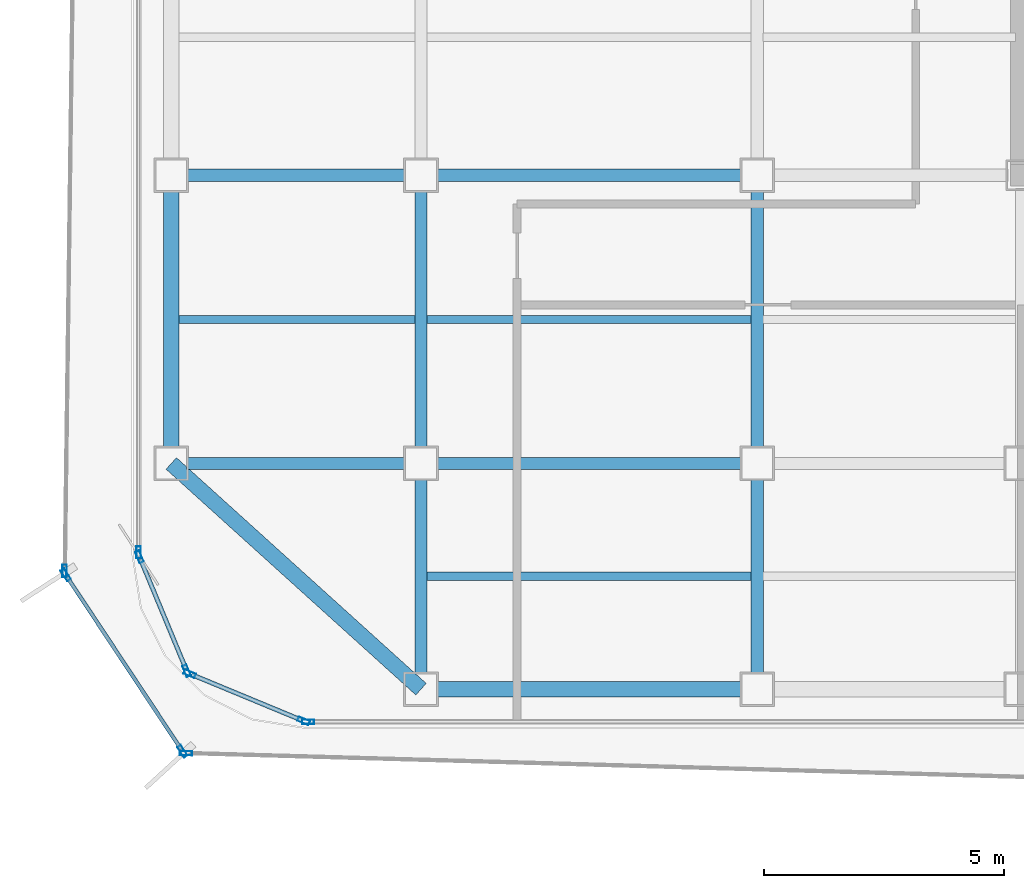
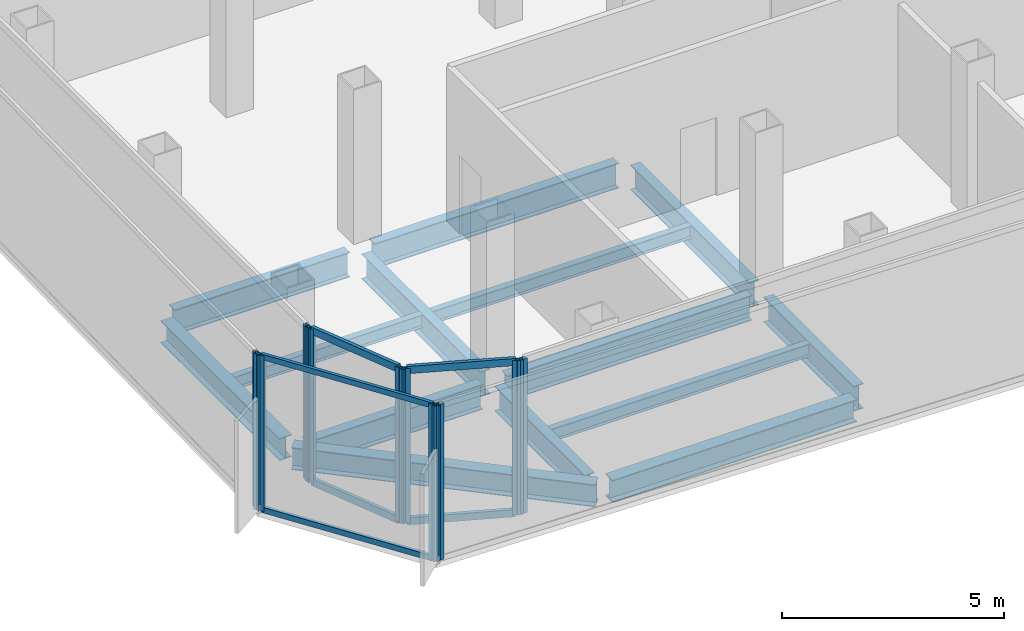
# One storey, part 2 of 14: 16 members, 14 beams, 7 elements without a shape of their own.
"""IFC4 building model written with IfcOpenShell, lengths in metres."""

from ifc_helpers import new_model, si_unit, direction, frame, origin, origin_2d, place, context, subcontext, project, spatial, hollow_rectangle, i_section, extrude, source, transform, mapped, material, layer, layer_set, material_profile, profile_set, type_object, element, aggregate, save


model = new_model("IFC4")

# Units and contexts
model_context = context("Model", 3, precision=1e-05, world=origin(), true_north=direction((0.0, 1.0)))
body_context = subcontext(model_context, "Body", "Model", "MODEL_VIEW")
ifc_project = project(units=[si_unit("LENGTHUNIT", "METRE"), si_unit("AREAUNIT", "SQUARE_METRE"), si_unit("VOLUMEUNIT", "CUBIC_METRE"), si_unit("PLANEANGLEUNIT", "RADIAN"), si_unit("MASSUNIT", "GRAM", prefix="KILO")], contexts=[model_context])

# Site, building, storey
site_placement = place(None, origin())
site = spatial("IfcSite", under=ifc_project, at=site_placement, CompositionType="ELEMENT")
building_placement = place(site_placement, origin())
building = spatial("IfcBuilding", under=site, at=building_placement, Name="Kolveth Station Tower", CompositionType="ELEMENT")
storey_placement = place(building_placement, frame((0.0, 0.0, 151.60009765625)))
storey = spatial("IfcBuildingStorey", under=building, at=storey_placement, Name="L42", CompositionType="ELEMENT", Elevation=151.60009765625)

# Beams
ifc_material_1 = material(Name="Steel S355", Category="steel")
ifc_material_profile_1 = material_profile(ifc_material_1, i_section(OverallWidth=0.323974609375, OverallDepth=0.611083984375, WebThickness=0.0126953125, FlangeThickness=0.01904296875, at=origin_2d()), Name="W610x155")
ifc_profile_set_1 = profile_set([ifc_material_profile_1], Name="Steel S355")
beam_type_1 = type_object("IfcBeamType", Name="Beam_SP2", PredefinedType="SPANDREL", material=ifc_profile_set_1)
shared_shape_1 = source(origin(), body_context, "Body", "SweptSolid", [
    extrude(i_section(OverallWidth=0.323974609375, OverallDepth=0.611083984375, WebThickness=0.0126953125, FlangeThickness=0.01904296875, at=origin_2d()), origin(), (0.0, 0.0, 1.0), 6.35986328125),
])
beam_1_placement = place(storey_placement, frame((6.320068359375, 0.800048828125, -0.66552734375), z_axis=(1.0, 0.0, 0.0), x_axis=(0.0, 1.0, 0.0)))
element("IfcBeam", 1, at=beam_1_placement, inside=storey, type_object=beam_type_1, Name="L42 Perimeter Spandrel BM-L42-PS-1", PredefinedType="SPANDREL", context=body_context, shape_type="MappedRepresentation", body=[
    mapped(shared_shape_1, transform((0.0, 0.0, 0.0), x_axis=(1.0, 0.0, 0.0), y_axis=(0.0, 1.0, 0.0), z_axis=(0.0, 0.0, 1.0), scale=1.0)),
])
shared_shape_2 = source(origin(), body_context, "Body", "SweptSolid", [
    extrude(i_section(OverallWidth=0.323974609375, OverallDepth=0.611083984375, WebThickness=0.0126953125, FlangeThickness=0.01904296875, at=origin_2d()), origin(), (0.0, 0.0, 1.0), 5.35986328125),
])
beam_2_placement = place(storey_placement, frame((0.800048828125, 5.820068359375, -0.66552734375), z_axis=(0.0, 1.0, 0.0), x_axis=(-1.0, 0.0, 0.0)))
element("IfcBeam", 2, at=beam_2_placement, inside=storey, type_object=beam_type_1, Name="L42 Perimeter Spandrel BM-L42-PW-1", PredefinedType="SPANDREL", context=body_context, shape_type="MappedRepresentation", body=[
    mapped(shared_shape_2, transform((0.0, 0.0, 0.0), x_axis=(1.0, 0.0, 0.0), y_axis=(0.0, 1.0, 0.0), z_axis=(0.0, 0.0, 1.0), scale=1.0)),
])
shared_shape_3 = source(origin(), body_context, "Body", "SweptSolid", [
    extrude(i_section(OverallWidth=0.323974609375, OverallDepth=0.611083984375, WebThickness=0.0126953125, FlangeThickness=0.01904296875, at=origin_2d()), origin(), (0.0, 0.0, 1.0), 7.00927734375),
])
beam_3_placement = place(storey_placement, frame((0.800048828125, 5.5, -0.66552734375), z_axis=(0.741874009795, -0.670539300557, 0.0), x_axis=(0.670539300557, 0.741874009795, 0.0)))
element("IfcBeam", 3, at=beam_3_placement, inside=storey, type_object=beam_type_1, Name="L42 Corner Edge Girder BM-L42-CNR-SW", PredefinedType="SPANDREL", context=body_context, shape_type="MappedRepresentation", body=[
    mapped(shared_shape_3, transform((0.0, 0.0, 0.0), x_axis=(1.0, 0.0, 0.0), y_axis=(0.0, 1.0, 0.0), z_axis=(0.0, 0.0, 1.0), scale=1.0)),
])
ifc_material_profile_2 = material_profile(ifc_material_1, i_section(OverallWidth=0.25390625, OverallDepth=0.68798828125, WebThickness=0.01318359375, FlangeThickness=0.02099609375, at=origin_2d()), Name="W690x152")
ifc_profile_set_2 = profile_set([ifc_material_profile_2], Name="Steel S355")
beam_type_2 = type_object("IfcBeamType", Name="Beam_B4", PredefinedType="BEAM", material=ifc_profile_set_2)
shared_shape_4 = source(origin(), body_context, "Body", "SweptSolid", [
    extrude(i_section(OverallWidth=0.25390625, OverallDepth=0.68798828125, WebThickness=0.01318359375, FlangeThickness=0.02099609375, at=origin_2d()), origin(), (0.0, 0.0, 1.0), 4.559814453125),
])
for number, where, z_axis, x_axis, name in (
    (4, (1.1201171875, 5.5, -0.7041015625), (1.0, 0.0, 0.0), (0.0, 1.0, 0.0), "L42 Primary Girder BM-L42-GY55-1"),
    (5, (1.1201171875, 11.5, -0.7041015625), (1.0, 0.0, 0.0), (0.0, 1.0, 0.0), "L42 Primary Girder BM-L42-GY115-1"),
):
    element("IfcBeam", number, at=place(storey_placement, frame(where, z_axis=z_axis, x_axis=x_axis)), inside=storey, type_object=beam_type_2, Name=name, PredefinedType="BEAM", context=body_context, shape_type="MappedRepresentation", body=[
        mapped(shared_shape_4, transform((0.0, 0.0, 0.0), x_axis=(1.0, 0.0, 0.0), y_axis=(0.0, 1.0, 0.0), z_axis=(0.0, 0.0, 1.0), scale=1.0)),
    ])
shared_shape_5 = source(origin(), body_context, "Body", "SweptSolid", [
    extrude(i_section(OverallWidth=0.25390625, OverallDepth=0.68798828125, WebThickness=0.01318359375, FlangeThickness=0.02099609375, at=origin_2d()), origin(), (0.0, 0.0, 1.0), 6.35986328125),
])
for number, where, z_axis, x_axis, name in (
    (6, (6.320068359375, 5.5, -0.7041015625), (1.0, 0.0, 0.0), (0.0, 1.0, 0.0), "L42 Primary Girder BM-L42-GY55-2"),
    (7, (6.320068359375, 11.5, -0.7041015625), (1.0, 0.0, 0.0), (0.0, 1.0, 0.0), "L42 Primary Girder BM-L42-GY115-2"),
):
    element("IfcBeam", number, at=place(storey_placement, frame(where, z_axis=z_axis, x_axis=x_axis)), inside=storey, type_object=beam_type_2, Name=name, PredefinedType="BEAM", context=body_context, shape_type="MappedRepresentation", body=[
        mapped(shared_shape_5, transform((0.0, 0.0, 0.0), x_axis=(1.0, 0.0, 0.0), y_axis=(0.0, 1.0, 0.0), z_axis=(0.0, 0.0, 1.0), scale=1.0)),
    ])
shared_shape_6 = source(origin(), body_context, "Body", "SweptSolid", [
    extrude(i_section(OverallWidth=0.25390625, OverallDepth=0.68798828125, WebThickness=0.01318359375, FlangeThickness=0.02099609375, at=origin_2d()), origin(), (0.0, 0.0, 1.0), 4.059814453125),
])
for number, where, z_axis, x_axis, name in (
    (8, (6.0, 1.1201171875, -0.7041015625), (0.0, 1.0, 0.0), (-1.0, 0.0, 0.0), "L42 Primary Girder BM-L42-GX60-1"),
    (9, (13.0, 1.1201171875, -0.7041015625), (0.0, 1.0, 0.0), (-1.0, 0.0, 0.0), "L42 Primary Girder BM-L42-GX130-1"),
):
    element("IfcBeam", number, at=place(storey_placement, frame(where, z_axis=z_axis, x_axis=x_axis)), inside=storey, type_object=beam_type_2, Name=name, PredefinedType="BEAM", context=body_context, shape_type="MappedRepresentation", body=[
        mapped(shared_shape_6, transform((0.0, 0.0, 0.0), x_axis=(1.0, 0.0, 0.0), y_axis=(0.0, 1.0, 0.0), z_axis=(0.0, 0.0, 1.0), scale=1.0)),
    ])
shared_shape_7 = source(origin(), body_context, "Body", "SweptSolid", [
    extrude(i_section(OverallWidth=0.25390625, OverallDepth=0.68798828125, WebThickness=0.01318359375, FlangeThickness=0.02099609375, at=origin_2d()), origin(), (0.0, 0.0, 1.0), 5.35986328125),
])
for number, where, z_axis, x_axis, name in (
    (10, (6.0, 5.820068359375, -0.7041015625), (0.0, 1.0, 0.0), (-1.0, 0.0, 0.0), "L42 Primary Girder BM-L42-GX60-2"),
    (11, (13.0, 5.820068359375, -0.7041015625), (0.0, 1.0, 0.0), (-1.0, 0.0, 0.0), "L42 Primary Girder BM-L42-GX130-2"),
):
    element("IfcBeam", number, at=place(storey_placement, frame(where, z_axis=z_axis, x_axis=x_axis)), inside=storey, type_object=beam_type_2, Name=name, PredefinedType="BEAM", context=body_context, shape_type="MappedRepresentation", body=[
        mapped(shared_shape_7, transform((0.0, 0.0, 0.0), x_axis=(1.0, 0.0, 0.0), y_axis=(0.0, 1.0, 0.0), z_axis=(0.0, 0.0, 1.0), scale=1.0)),
    ])
ifc_material_profile_3 = material_profile(ifc_material_1, i_section(OverallWidth=0.1708984375, OverallDepth=0.35205078125, WebThickness=0.0068359375, FlangeThickness=0.009765625, at=origin_2d()), Name="W360x44")
ifc_profile_set_3 = profile_set([ifc_material_profile_3], Name="Steel S355")
beam_type_3 = type_object("IfcBeamType", Name="Beam_J2", PredefinedType="JOIST", material=ifc_profile_set_3)
shared_shape_8 = source(origin(), body_context, "Body", "SweptSolid", [
    extrude(i_section(OverallWidth=0.1708984375, OverallDepth=0.35205078125, WebThickness=0.0068359375, FlangeThickness=0.009765625, at=origin_2d()), origin(), (0.0, 0.0, 1.0), 4.9150390625),
])
beam_4_placement = place(storey_placement, frame((0.9599609375, 8.5, -0.5361328125), z_axis=(1.0, 0.0, 0.0), x_axis=(0.0, 1.0, 0.0)))
element("IfcBeam", 12, at=beam_4_placement, inside=storey, type_object=beam_type_3, Name="L42 Secondary Joist JST-L42-1-2", PredefinedType="JOIST", context=body_context, shape_type="MappedRepresentation", body=[
    mapped(shared_shape_8, transform((0.0, 0.0, 0.0), x_axis=(1.0, 0.0, 0.0), y_axis=(0.0, 1.0, 0.0), z_axis=(0.0, 0.0, 1.0), scale=1.0)),
])
shared_shape_9 = source(origin(), body_context, "Body", "SweptSolid", [
    extrude(i_section(OverallWidth=0.1708984375, OverallDepth=0.35205078125, WebThickness=0.0068359375, FlangeThickness=0.009765625, at=origin_2d()), origin(), (0.0, 0.0, 1.0), 6.75),
])
for number, where, z_axis, x_axis, name in (
    (13, (6.125, 3.14990234375, -0.5361328125), (1.0, 0.0, 0.0), (0.0, 1.0, 0.0), "L42 Secondary Joist JST-L42-2-1"),
    (14, (6.125, 8.5, -0.5361328125), (1.0, 0.0, 0.0), (0.0, 1.0, 0.0), "L42 Secondary Joist JST-L42-2-2"),
):
    element("IfcBeam", number, at=place(storey_placement, frame(where, z_axis=z_axis, x_axis=x_axis)), inside=storey, type_object=beam_type_3, Name=name, PredefinedType="JOIST", context=body_context, shape_type="MappedRepresentation", body=[
        mapped(shared_shape_9, transform((0.0, 0.0, 0.0), x_axis=(1.0, 0.0, 0.0), y_axis=(0.0, 1.0, 0.0), z_axis=(0.0, 0.0, 1.0), scale=1.0)),
    ])

# Curtain wall, member
ifc_material_2 = material(Name="Aluminium 6063-T6 and acoustic laminated dark glass", Category="aluminium")
ifc_layer_1 = layer(ifc_material_2, 0.219970703125)
ifc_layer_set_1 = layer_set([ifc_layer_1], Name="Aluminium 6063-T6 and acoustic laminated dark glass")
curtain_wall_type_1 = type_object("IfcCurtainWallType", Name="CurtainWall_CW-SL", PredefinedType="NOTDEFINED", material=ifc_layer_set_1)
curtain_wall_1_placement = place(storey_placement, origin())
curtain_wall_1 = element("IfcCurtainWall", 15, at=curtain_wall_1_placement, inside=storey, type_object=curtain_wall_type_1, Name="L42 Inner Thermal Curtain Wall 9", PredefinedType="NOTDEFINED")
ifc_material_3 = material(Name="Black anodized aluminium 6063-T6", Category="aluminium")
ifc_material_profile_4 = material_profile(ifc_material_3, hollow_rectangle(XDim=0.094970703125, YDim=0.25, WallThickness=0.0048828125, at=origin_2d()), Name="ALU-95x250x5")
ifc_profile_set_4 = profile_set([ifc_material_profile_4], Name="Black anodized aluminium 6063-T6")
member_type_1 = type_object("IfcMemberType", Name="Mullion_ML-SL", PredefinedType="MULLION", material=ifc_profile_set_4)
shared_shape_10 = source(origin(), body_context, "Body", "SweptSolid", [
    extrude(hollow_rectangle(XDim=0.094970703125, YDim=0.25, WallThickness=0.0048828125, at=origin_2d()), origin(), (0.0, 0.0, 1.0), 4.25),
])
member_1_placement = place(storey_placement, frame((0.1201171875, 3.6474609375, 0.0), z_axis=(0.0, 0.0, 1.0), x_axis=(1.0, 0.0, 0.0)))
member_1 = element("IfcMember", 16, at=member_1_placement, type_object=member_type_1, Name="CW-SL mullion 2", PredefinedType="MULLION", context=body_context, shape_type="MappedRepresentation", body=[
    mapped(shared_shape_10, transform((0.0, 0.0, 0.0), x_axis=(1.0, 0.0, 0.0), y_axis=(0.0, 1.0, 0.0), z_axis=(0.0, 0.0, 1.0), scale=1.0)),
])
aggregate(curtain_wall_1, [member_1])

# Curtain wall, members
curtain_wall_2_placement = place(storey_placement, origin())
curtain_wall_2 = element("IfcCurtainWall", 17, at=curtain_wall_2_placement, inside=storey, type_object=curtain_wall_type_1, Name="L42 Inner Thermal Curtain Wall 10", PredefinedType="NOTDEFINED")
member_2_placement = place(storey_placement, frame((0.13818359375, 3.55615234375, 0.0), z_axis=(0.0, 0.0, 1.0), x_axis=(0.923873600544, 0.382697753087, 0.0)))
member_2 = element("IfcMember", 18, at=member_2_placement, type_object=member_type_1, Name="CW-SL mullion 1", PredefinedType="MULLION", context=body_context, shape_type="MappedRepresentation", body=[
    mapped(shared_shape_10, transform((0.0, 0.0, 0.0), x_axis=(1.0, 0.0, 0.0), y_axis=(0.0, 1.0, 0.0), z_axis=(0.0, 0.0, 1.0), scale=1.0)),
])
member_3_placement = place(storey_placement, frame((1.12109375, 1.18310546875, 0.0), z_axis=(0.0, 0.0, 1.0), x_axis=(0.923873600544, 0.382697753087, 0.0)))
member_3 = element("IfcMember", 19, at=member_3_placement, type_object=member_type_1, Name="CW-SL mullion 2", PredefinedType="MULLION", context=body_context, shape_type="MappedRepresentation", body=[
    mapped(shared_shape_10, transform((0.0, 0.0, 0.0), x_axis=(1.0, 0.0, 0.0), y_axis=(0.0, 1.0, 0.0), z_axis=(0.0, 0.0, 1.0), scale=1.0)),
])

curtain_wall_3_placement = place(storey_placement, origin())
curtain_wall_3 = element("IfcCurtainWall", 20, at=curtain_wall_3_placement, inside=storey, type_object=curtain_wall_type_1, Name="L42 Inner Thermal Curtain Wall 11", PredefinedType="NOTDEFINED")
member_4_placement = place(storey_placement, frame((1.18310546875, 1.12109375, 0.0), z_axis=(0.0, 0.0, 1.0), x_axis=(0.382697753087, 0.923873600544, 0.0)))
member_4 = element("IfcMember", 21, at=member_4_placement, type_object=member_type_1, Name="CW-SL mullion 1", PredefinedType="MULLION", context=body_context, shape_type="MappedRepresentation", body=[
    mapped(shared_shape_10, transform((0.0, 0.0, 0.0), x_axis=(1.0, 0.0, 0.0), y_axis=(0.0, 1.0, 0.0), z_axis=(0.0, 0.0, 1.0), scale=1.0)),
])
member_5_placement = place(storey_placement, frame((3.55615234375, 0.13818359375, 0.0), z_axis=(0.0, 0.0, 1.0), x_axis=(0.382697753087, 0.923873600544, 0.0)))
member_5 = element("IfcMember", 22, at=member_5_placement, type_object=member_type_1, Name="CW-SL mullion 2", PredefinedType="MULLION", context=body_context, shape_type="MappedRepresentation", body=[
    mapped(shared_shape_10, transform((0.0, 0.0, 0.0), x_axis=(1.0, 0.0, 0.0), y_axis=(0.0, 1.0, 0.0), z_axis=(0.0, 0.0, 1.0), scale=1.0)),
])

# Curtain wall, member
curtain_wall_4_placement = place(storey_placement, origin())
curtain_wall_4 = element("IfcCurtainWall", 23, at=curtain_wall_4_placement, inside=storey, type_object=curtain_wall_type_1, Name="L42 Inner Thermal Curtain Wall 12", PredefinedType="NOTDEFINED")
member_6_placement = place(storey_placement, frame((3.6474609375, 0.1201171875, 0.0), z_axis=(0.0, 0.0, 1.0), x_axis=(0.0, 1.0, 0.0)))
member_6 = element("IfcMember", 24, at=member_6_placement, type_object=member_type_1, Name="CW-SL mullion 1", PredefinedType="MULLION", context=body_context, shape_type="MappedRepresentation", body=[
    mapped(shared_shape_10, transform((0.0, 0.0, 0.0), x_axis=(1.0, 0.0, 0.0), y_axis=(0.0, 1.0, 0.0), z_axis=(0.0, 0.0, 1.0), scale=1.0)),
])
aggregate(curtain_wall_4, [member_6])

# Member
ifc_material_profile_5 = material_profile(ifc_material_3, hollow_rectangle(XDim=0.090087890625, YDim=0.199951171875, WallThickness=0.0048828125, at=origin_2d()), Name="ALU-90x200x5")
ifc_profile_set_5 = profile_set([ifc_material_profile_5], Name="Black anodized aluminium 6063-T6")
member_type_2 = type_object("IfcMemberType", Name="Transom_TR-SL", PredefinedType="USERDEFINED", material=ifc_profile_set_5)
shared_shape_11 = source(origin(), body_context, "Body", "SweptSolid", [
    extrude(hollow_rectangle(XDim=0.090087890625, YDim=0.199951171875, WallThickness=0.0048828125, at=origin_2d()), origin(), (0.0, 0.0, 1.0), 2.4736328125),
])
member_7_placement = place(storey_placement, frame((0.15625, 3.51220703125, 0.044921875), z_axis=(0.382764396992, -0.923845991708, 0.0), x_axis=(0.923845991708, 0.382764396992, 0.0)))
member_7 = element("IfcMember", 25, at=member_7_placement, type_object=member_type_2, Name="CW-SL transom 1.1", ObjectType="TRANSOM", PredefinedType="USERDEFINED", context=body_context, shape_type="MappedRepresentation", body=[
    mapped(shared_shape_11, transform((0.0, 0.0, 0.0), x_axis=(1.0, 0.0, 0.0), y_axis=(0.0, 1.0, 0.0), z_axis=(0.0, 0.0, 1.0), scale=1.0)),
])

member_8_placement = place(storey_placement, frame((0.15625, 3.51220703125, 4.204833984375), z_axis=(0.382764396992, -0.923845991708, 0.0), x_axis=(0.923845991708, 0.382764396992, 0.0)))
member_8 = element("IfcMember", 26, at=member_8_placement, type_object=member_type_2, Name="CW-SL transom 1.2", ObjectType="TRANSOM", PredefinedType="USERDEFINED", context=body_context, shape_type="MappedRepresentation", body=[
    mapped(shared_shape_11, transform((0.0, 0.0, 0.0), x_axis=(1.0, 0.0, 0.0), y_axis=(0.0, 1.0, 0.0), z_axis=(0.0, 0.0, 1.0), scale=1.0)),
])

aggregate(curtain_wall_2, [member_2, member_3, member_7, member_8])

member_9_placement = place(storey_placement, frame((1.22705078125, 1.10302734375, 0.044921875), z_axis=(0.923845991708, -0.382764396992, 0.0), x_axis=(0.382764396992, 0.923845991708, 0.0)))
member_9 = element("IfcMember", 27, at=member_9_placement, type_object=member_type_2, Name="CW-SL transom 1.1", ObjectType="TRANSOM", PredefinedType="USERDEFINED", context=body_context, shape_type="MappedRepresentation", body=[
    mapped(shared_shape_11, transform((0.0, 0.0, 0.0), x_axis=(1.0, 0.0, 0.0), y_axis=(0.0, 1.0, 0.0), z_axis=(0.0, 0.0, 1.0), scale=1.0)),
])

member_10_placement = place(storey_placement, frame((1.22705078125, 1.10302734375, 4.204833984375), z_axis=(0.923845991708, -0.382764396992, 0.0), x_axis=(0.382764396992, 0.923845991708, 0.0)))
member_10 = element("IfcMember", 28, at=member_10_placement, type_object=member_type_2, Name="CW-SL transom 1.2", ObjectType="TRANSOM", PredefinedType="USERDEFINED", context=body_context, shape_type="MappedRepresentation", body=[
    mapped(shared_shape_11, transform((0.0, 0.0, 0.0), x_axis=(1.0, 0.0, 0.0), y_axis=(0.0, 1.0, 0.0), z_axis=(0.0, 0.0, 1.0), scale=1.0)),
])

aggregate(curtain_wall_3, [member_4, member_5, member_9, member_10])

# Curtain wall, member
ifc_material_4 = material(Name="Black anodized aluminium 6063-T6 and dark solar glass", Category="aluminium")
ifc_layer_2 = layer(ifc_material_4, 0.159912109375)
ifc_layer_set_2 = layer_set([ifc_layer_2], Name="Black anodized aluminium 6063-T6 and dark solar glass")
curtain_wall_type_2 = type_object("IfcCurtainWallType", Name="OUTER SKIN CW-OS", PredefinedType="NOTDEFINED", material=ifc_layer_set_2)
curtain_wall_5_placement = place(storey_placement, origin())
curtain_wall_5 = element("IfcCurtainWall", 29, at=curtain_wall_5_placement, inside=storey, type_object=curtain_wall_type_2, Name="L42 Outer Ventilated Skin Curtain Wall 6", PredefinedType="NOTDEFINED")
ifc_material_profile_6 = material_profile(ifc_material_3, hollow_rectangle(XDim=0.090087890625, YDim=0.260009765625, WallThickness=0.0048828125, at=origin_2d()), Name="ALU-90x260x5")
ifc_profile_set_6 = profile_set([ifc_material_profile_6], Name="Black anodized aluminium 6063-T6")
member_type_3 = type_object("IfcMemberType", Name="FIN MULLION ML-OS", PredefinedType="MULLION", material=ifc_profile_set_6)
shared_shape_12 = source(origin(), body_context, "Body", "SweptSolid", [
    extrude(hollow_rectangle(XDim=0.090087890625, YDim=0.260009765625, WallThickness=0.0048828125, at=origin_2d()), origin(), (0.0, 0.0, 1.0), 4.289794921875),
])
member_11_placement = place(storey_placement, frame((-1.421875, 3.26318359375, 0.0), z_axis=(0.0, 0.0, 1.0), x_axis=(0.999912287097, -0.013244550305, 0.0)))
member_11 = element("IfcMember", 30, at=member_11_placement, type_object=member_type_3, Name="CW-OS mullion 2", PredefinedType="MULLION", context=body_context, shape_type="MappedRepresentation", body=[
    mapped(shared_shape_12, transform((0.0, 0.0, 0.0), x_axis=(1.0, 0.0, 0.0), y_axis=(0.0, 1.0, 0.0), z_axis=(0.0, 0.0, 1.0), scale=1.0)),
])
aggregate(curtain_wall_5, [member_11])

# Curtain wall, members
curtain_wall_6_placement = place(storey_placement, origin())
curtain_wall_6 = element("IfcCurtainWall", 31, at=curtain_wall_6_placement, inside=storey, type_object=curtain_wall_type_2, Name="L42 Outer Ventilated Skin Curtain Wall 7", PredefinedType="NOTDEFINED")
member_12_placement = place(storey_placement, frame((-1.3974609375, 3.1806640625, 0.0), z_axis=(0.0, 0.0, 1.0), x_axis=(0.83399557341, 0.551771133291, 0.0)))
member_12 = element("IfcMember", 32, at=member_12_placement, type_object=member_type_3, Name="CW-OS mullion 1", PredefinedType="MULLION", context=body_context, shape_type="MappedRepresentation", body=[
    mapped(shared_shape_12, transform((0.0, 0.0, 0.0), x_axis=(1.0, 0.0, 0.0), y_axis=(0.0, 1.0, 0.0), z_axis=(0.0, 0.0, 1.0), scale=1.0)),
])
member_13_placement = place(storey_placement, frame((1.03369140625, -0.493896484375, 0.0), z_axis=(0.0, 0.0, 1.0), x_axis=(0.83399557341, 0.551771133291, 0.0)))
member_13 = element("IfcMember", 33, at=member_13_placement, type_object=member_type_3, Name="CW-OS mullion 2", PredefinedType="MULLION", context=body_context, shape_type="MappedRepresentation", body=[
    mapped(shared_shape_12, transform((0.0, 0.0, 0.0), x_axis=(1.0, 0.0, 0.0), y_axis=(0.0, 1.0, 0.0), z_axis=(0.0, 0.0, 1.0), scale=1.0)),
])

# Curtain wall, member
curtain_wall_7_placement = place(storey_placement, origin())
curtain_wall_7 = element("IfcCurtainWall", 34, at=curtain_wall_7_placement, inside=storey, type_object=curtain_wall_type_2, Name="L42 Outer Ventilated Skin Curtain Wall 8", PredefinedType="NOTDEFINED")
member_14_placement = place(storey_placement, frame((1.103271484375, -0.53271484375, 0.0), z_axis=(0.0, 0.0, 1.0), x_axis=(0.028461754312, 0.999594882211, 0.0)))
member_14 = element("IfcMember", 35, at=member_14_placement, type_object=member_type_3, Name="CW-OS mullion 1", PredefinedType="MULLION", context=body_context, shape_type="MappedRepresentation", body=[
    mapped(shared_shape_12, transform((0.0, 0.0, 0.0), x_axis=(1.0, 0.0, 0.0), y_axis=(0.0, 1.0, 0.0), z_axis=(0.0, 0.0, 1.0), scale=1.0)),
])
aggregate(curtain_wall_7, [member_14])

# Member
ifc_material_profile_7 = material_profile(ifc_material_3, hollow_rectangle(XDim=0.080078125, YDim=0.14990234375, WallThickness=0.0048828125, at=origin_2d()), Name="ALU-80x150x5")
ifc_profile_set_7 = profile_set([ifc_material_profile_7], Name="Black anodized aluminium 6063-T6")
member_type_4 = type_object("IfcMemberType", Name="Transom_TR-OS", PredefinedType="USERDEFINED", material=ifc_profile_set_7)
shared_shape_13 = source(origin(), body_context, "Body", "SweptSolid", [
    extrude(hollow_rectangle(XDim=0.080078125, YDim=0.14990234375, WallThickness=0.0048828125, at=origin_2d()), origin(), (0.0, 0.0, 1.0), 4.316162109375),
])
member_15_placement = place(storey_placement, frame((-1.372802734375, 3.14306640625, 0.039794921875), z_axis=(0.551785909635, -0.833985797198, 0.0), x_axis=(0.833985797198, 0.551785909635, 0.0)))
member_15 = element("IfcMember", 36, at=member_15_placement, type_object=member_type_4, Name="CW-OS transom 1.1", ObjectType="TRANSOM", PredefinedType="USERDEFINED", context=body_context, shape_type="MappedRepresentation", body=[
    mapped(shared_shape_13, transform((0.0, 0.0, 0.0), x_axis=(1.0, 0.0, 0.0), y_axis=(0.0, 1.0, 0.0), z_axis=(0.0, 0.0, 1.0), scale=1.0)),
])

member_16_placement = place(storey_placement, frame((-1.372802734375, 3.14306640625, 4.25), z_axis=(0.551785909635, -0.833985797198, 0.0), x_axis=(0.833985797198, 0.551785909635, 0.0)))
member_16 = element("IfcMember", 37, at=member_16_placement, type_object=member_type_4, Name="CW-OS transom 1.2", ObjectType="TRANSOM", PredefinedType="USERDEFINED", context=body_context, shape_type="MappedRepresentation", body=[
    mapped(shared_shape_13, transform((0.0, 0.0, 0.0), x_axis=(1.0, 0.0, 0.0), y_axis=(0.0, 1.0, 0.0), z_axis=(0.0, 0.0, 1.0), scale=1.0)),
])

aggregate(curtain_wall_6, [member_12, member_13, member_15, member_16])

save(model, "model.ifc")
